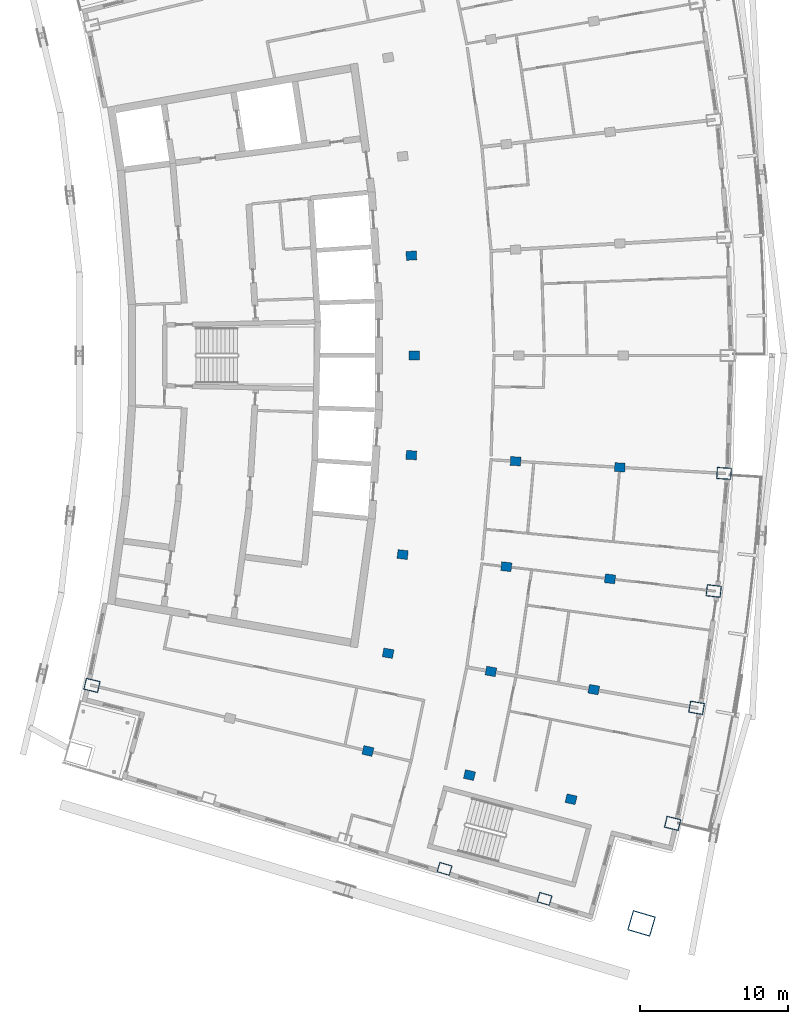
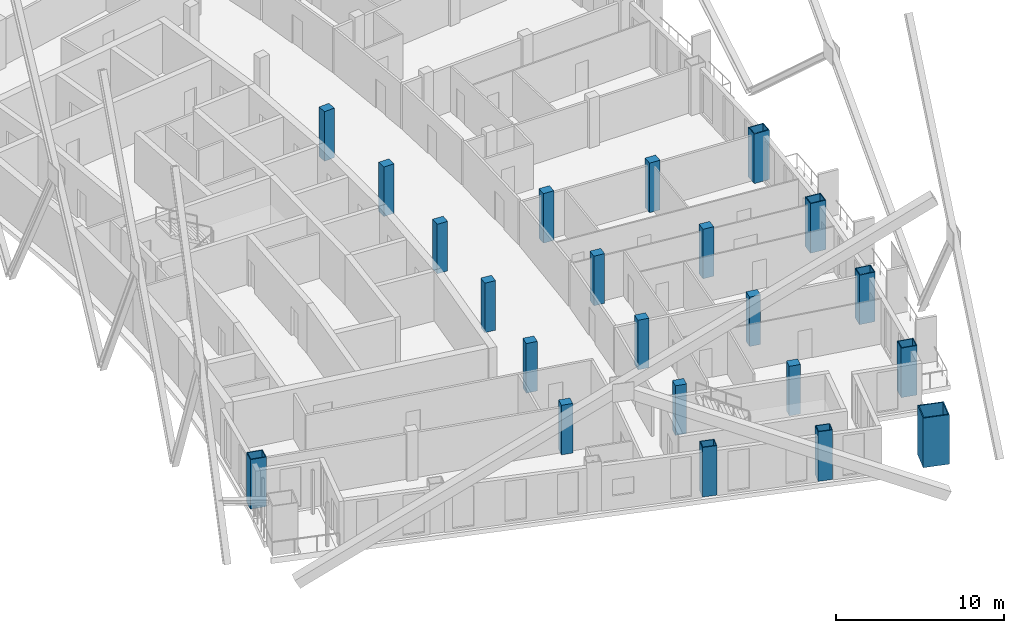
# One storey, part 2 of 16: 22 columns.
"""IFC4 building model written with IfcOpenShell, lengths in metres."""

from ifc_helpers import new_model, si_unit, direction, frame, origin, origin_2d, place, context, subcontext, project, spatial, rectangle, hollow_rectangle, extrude, material, material_profile, profile_set, type_object, element, save


model = new_model("IFC4")

# Units and contexts
model_context = context("Model", 3, precision=1e-05, world=origin(), true_north=direction((0.0, 1.0)))
body_context = subcontext(model_context, "Body", "Model", "MODEL_VIEW")
ifc_project = project(units=[si_unit("LENGTHUNIT", "METRE"), si_unit("AREAUNIT", "SQUARE_METRE"), si_unit("VOLUMEUNIT", "CUBIC_METRE"), si_unit("PLANEANGLEUNIT", "RADIAN"), si_unit("MASSUNIT", "GRAM", prefix="KILO")], contexts=[model_context])

# Site, building, storey
site_placement = place(None, origin())
site = spatial("IfcSite", under=ifc_project, at=site_placement, CompositionType="ELEMENT")
building_placement = place(site_placement, origin())
building = spatial("IfcBuilding", under=site, at=building_placement, Name="Alderwake Tower", CompositionType="ELEMENT")
storey_placement = place(building_placement, frame((0.0, 0.0, 245.60009765625)))
storey = spatial("IfcBuildingStorey", under=building, at=storey_placement, Name="L60", CompositionType="ELEMENT", Elevation=245.60009765625)

# Columns
ifc_material_1 = material(Name="Steel ASTM A572 Grade 50 concrete filled C70/85", Category="concrete")
ifc_material_profile_1 = material_profile(ifc_material_1, hollow_rectangle(XDim=0.699951171875, YDim=0.89990234375, WallThickness=0.050048828125, at=origin_2d()), Name="BOX 900X700X50")
ifc_profile_set_1 = profile_set([ifc_material_profile_1], Name="Steel ASTM A572 Grade 50 concrete filled C70/85")
column_type_1 = type_object("IfcColumnType", Name="End column Z5", PredefinedType="COLUMN", material=ifc_profile_set_1)
for number, where, z_axis, x_axis, name in (
    (1, (37.8486328125, 26.244873046875, 0.0), (0.0, 0.0, 1.0), (0.28286882455, 0.959158604245, 0.0), "Column R02-C3"),
    (2, (44.616943359375, 24.212890625, 0.0), (0.0, 0.0, 1.0), (0.283123269824, 0.95908352821, 0.0), "Column R02-C4"),
):
    element("IfcColumn", number, at=place(storey_placement, frame(where, z_axis=z_axis, x_axis=x_axis)), inside=storey, type_object=column_type_1, Name=name, PredefinedType="COLUMN", context=body_context, shape_type="SweptSolid", body=[
        extrude(hollow_rectangle(XDim=0.699951171875, YDim=0.89990234375, WallThickness=0.050048828125, at=origin_2d()), origin(), (0.0, 0.0, 1.0), 3.599853515625),
    ])
ifc_material_2 = material(Name="Concrete C70/85", Category="concrete")
ifc_material_profile_2 = material_profile(ifc_material_2, rectangle(XDim=0.60009765625, YDim=0.699951171875, at=origin_2d()), Name="RC 700X600")
ifc_profile_set_2 = profile_set([ifc_material_profile_2], Name="Concrete C70/85")
column_type_2 = type_object("IfcColumnType", Name="Interior column Z5", PredefinedType="COLUMN", material=ifc_profile_set_2)
for number, where, z_axis, x_axis, name in (
    (3, (32.661865234375, 34.224609375, 0.0), (0.0, 0.0, 1.0), (0.231221547198, 0.972901123502, 0.0), "Column R03-C2"),
    (4, (39.537109375, 32.590576171875, 0.0), (0.0, 0.0, 1.0), (0.231221547198, 0.972901123502, 0.0), "Column R03-C3"),
    (5, (46.412109375, 30.95654296875, 0.0), (0.0, 0.0, 1.0), (0.231221547198, 0.972901123502, 0.0), "Column R03-C4"),
    (6, (34.03125, 40.83837890625, 0.0), (0.0, 0.0, 1.0), (0.174108800747, 0.984726421654, 0.0), "Column R04-C2"),
    (7, (40.989990234375, 39.60791015625, 0.0), (0.0, 0.0, 1.0), (0.174108800747, 0.984726421654, 0.0), "Column R04-C3"),
    (8, (47.94873046875, 38.377685546875, 0.0), (0.0, 0.0, 1.0), (0.174107082075, 0.984726725529, 0.0), "Column R04-C4"),
    (9, (35.0126953125, 47.5205078125, 0.0), (0.0, 0.0, 1.0), (0.116402054316, 0.993202175668, 0.0), "Column R05-C2"),
    (10, (42.031494140625, 46.697998046875, 0.0), (0.0, 0.0, 1.0), (0.116402054316, 0.993202175668, 0.0), "Column R05-C3"),
    (11, (49.050048828125, 45.87548828125, 0.0), (0.0, 0.0, 1.0), (0.116402054316, 0.993202175668, 0.0), "Column R05-C4"),
    (12, (35.60302734375, 54.248779296875, 0.0), (0.0, 0.0, 1.0), (0.058301061284, 0.998299046505, 0.0), "Column R06-C2"),
    (13, (42.65771484375, 53.8369140625, 0.0), (0.0, 0.0, 1.0), (0.058301061284, 0.998299046505, 0.0), "Column R06-C3"),
    (14, (49.71240234375, 53.4248046875, 0.0), (0.0, 0.0, 1.0), (0.058299318924, 0.998299148258, 0.0), "Column R06-C4"),
    (15, (35.800048828125, 61.0, 0.0), (0.0, 0.0, 1.0), (0.0, 1.0, 0.0), "Column R07-C2"),
    (16, (35.60302734375, 67.751220703125, 0.0), (0.0, 0.0, 1.0), (-0.058301061284, 0.998299046505, 0.0), "Column R08-C2"),
):
    element("IfcColumn", number, at=place(storey_placement, frame(where, z_axis=z_axis, x_axis=x_axis)), inside=storey, type_object=column_type_2, Name=name, PredefinedType="COLUMN", context=body_context, shape_type="SweptSolid", body=[
        extrude(rectangle(XDim=0.60009765625, YDim=0.699951171875, at=origin_2d()), origin(), (0.0, 0.0, 1.0), 3.599853515625),
    ])
ifc_material_3 = material(Name="Steel ASTM A572 Grade 50 concrete filled C70/85", Category="concrete")
ifc_material_profile_3 = material_profile(ifc_material_3, hollow_rectangle(XDim=1.39990234375, YDim=1.60009765625, WallThickness=0.070068359375, at=origin_2d()), Name="BOX 1600X1400X70")
ifc_profile_set_3 = profile_set([ifc_material_profile_3], Name="Steel ASTM A572 Grade 50 concrete filled C70/85")
column_type_3 = type_object("IfcColumnType", Name="Mega column Z5", PredefinedType="COLUMN", material=ifc_profile_set_3)
column_placement = place(storey_placement, frame((51.181884765625, 22.552978515625, 0.0), z_axis=(0.0, 0.0, 1.0), x_axis=(0.281251293329, 0.959634154249, 0.0)))
element("IfcColumn", 17, at=column_placement, inside=storey, type_object=column_type_3, Name="Column R02-C5", PredefinedType="COLUMN", context=body_context, shape_type="SweptSolid", body=[
    extrude(hollow_rectangle(XDim=1.39990234375, YDim=1.60009765625, WallThickness=0.070068359375, at=origin_2d()), origin(), (0.0, 0.0, 1.0), 3.599853515625),
])
ifc_material_4 = material(Name="Steel ASTM A572 Grade 50 concrete filled C70/85", Category="concrete")
ifc_material_profile_4 = material_profile(ifc_material_4, hollow_rectangle(XDim=0.800048828125, YDim=1.0, WallThickness=0.054931640625, at=origin_2d()), Name="BOX 1000X800X55")
ifc_profile_set_4 = profile_set([ifc_material_profile_4], Name="Steel ASTM A572 Grade 50 concrete filled C70/85")
column_type_4 = type_object("IfcColumnType", Name="Perimeter column Z5", PredefinedType="COLUMN", material=ifc_profile_set_4)
for number, where, z_axis, x_axis, name in (
    (18, (13.982177734375, 38.6640625, 0.0), (0.0, 0.0, 1.0), (0.231221547198, 0.972901123502, 0.0), "Column R03-C0"),
    (19, (53.287353515625, 29.322509765625, 0.0), (0.0, 0.0, 1.0), (0.231221547198, 0.972901123502, 0.0), "Column R03-C5"),
    (20, (54.907470703125, 37.147216796875, 0.0), (0.0, 0.0, 1.0), (0.174108800747, 0.984726421654, 0.0), "Column R04-C5"),
    (21, (56.068603515625, 45.052978515625, 0.0), (0.0, 0.0, 1.0), (0.116402054316, 0.993202175668, 0.0), "Column R05-C5"),
    (22, (56.76708984375, 53.012939453125, 0.0), (0.0, 0.0, 1.0), (0.058299318924, 0.998299148258, 0.0), "Column R06-C5"),
):
    element("IfcColumn", number, at=place(storey_placement, frame(where, z_axis=z_axis, x_axis=x_axis)), inside=storey, type_object=column_type_4, Name=name, PredefinedType="COLUMN", context=body_context, shape_type="SweptSolid", body=[
        extrude(hollow_rectangle(XDim=0.800048828125, YDim=1.0, WallThickness=0.054931640625, at=origin_2d()), origin(), (0.0, 0.0, 1.0), 3.599853515625),
    ])

save(model, "model.ifc")
